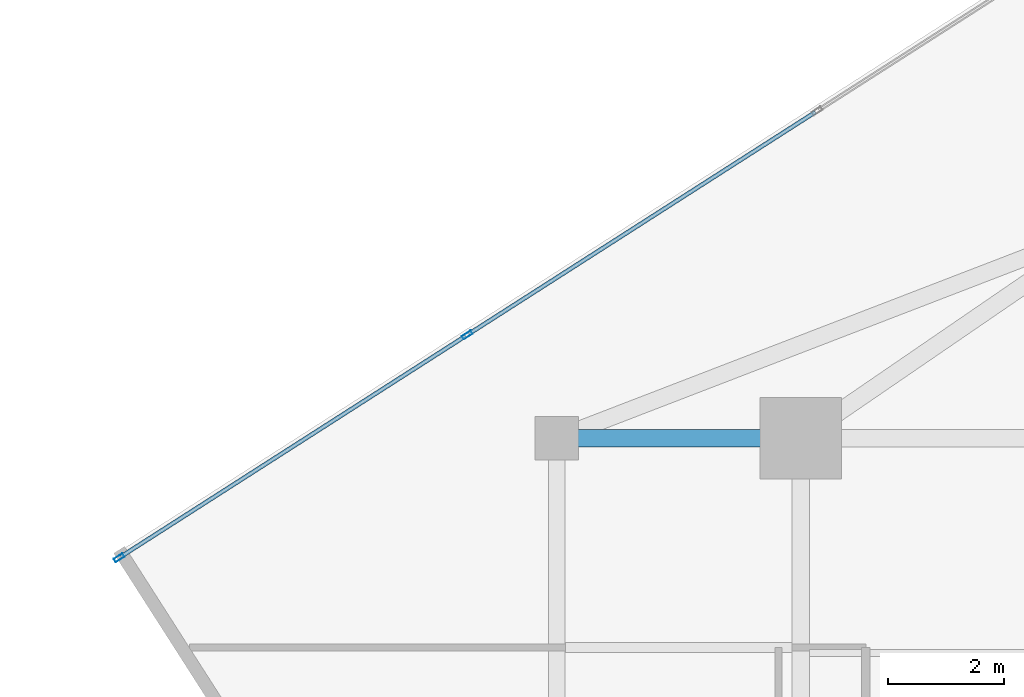
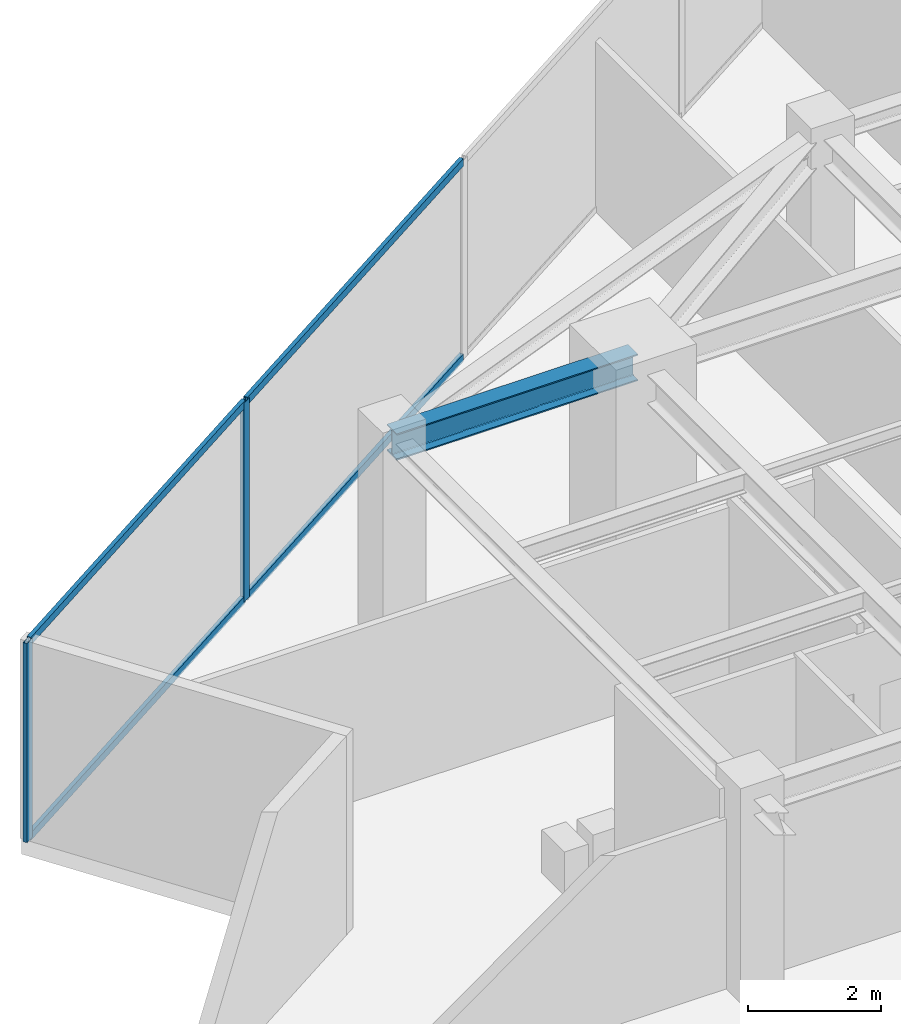
# One storey, part 11 of 20: 6 members, 1 beam, 1 element without a shape of its own.
"""IFC4 building model written with IfcOpenShell, lengths in metres."""

from ifc_helpers import new_model, si_unit, direction, frame, origin, origin_2d, place, context, subcontext, project, spatial, hollow_rectangle, i_section, extrude, source, transform, mapped, material, material_profile, profile_set, type_object, type_shapes, element, aggregate, save


model = new_model("IFC4")

# Units and contexts
model_context = context("Model", 3, precision=1e-05, world=origin(), true_north=direction((0.0, 1.0)))
body_context = subcontext(model_context, "Body", "Model", "MODEL_VIEW")
ifc_project = project(units=[si_unit("LENGTHUNIT", "METRE"), si_unit("AREAUNIT", "SQUARE_METRE"), si_unit("VOLUMEUNIT", "CUBIC_METRE"), si_unit("PLANEANGLEUNIT", "RADIAN"), si_unit("MASSUNIT", "GRAM", prefix="KILO")], contexts=[model_context])

# Site, building, storey
site_placement = place(None, origin())
site = spatial("IfcSite", under=ifc_project, at=site_placement, CompositionType="ELEMENT")
building_placement = place(site_placement, origin())
building = spatial("IfcBuilding", under=site, at=building_placement, Name="Krantzveldt Concourse Tower", CompositionType="ELEMENT")
storey_placement = place(building_placement, frame((0.0, 0.0, 283.199951171875)))
storey = spatial("IfcBuildingStorey", under=building, at=storey_placement, Name="L69", CompositionType="ELEMENT", Elevation=283.199951171875)

# Beam
ifc_material_1 = material(Name="Steel S355JR", Category="steel")
ifc_material_profile_1 = material_profile(ifc_material_1, i_section(OverallWidth=0.300048828125, OverallDepth=0.489990234375, WebThickness=0.011962890625, FlangeThickness=0.02294921875, FilletRadius=0.027099609375, at=origin_2d()), Name="Steel S355JR", Category="steel")
ifc_profile_set_1 = profile_set([ifc_material_profile_1], Name="Steel S355JR - HEA 500")
beam_type = type_object("IfcBeamType", Name="BM-B-HEA500", PredefinedType="BEAM", material=ifc_profile_set_1)
shared_shape_1 = source(origin(), body_context, "Body", "SweptSolid", [
    extrude(i_section(OverallWidth=0.300048828125, OverallDepth=0.489990234375, WebThickness=0.011962890625, FlangeThickness=0.02294921875, FilletRadius=0.027099609375, at=origin_2d()), origin(), (0.0, 0.0, 1.0), 4.199951171875),
])
type_shapes(beam_type, [shared_shape_1])
beam_placement = place(storey_placement, frame((21.0, 37.5, 3.425048828125), z_axis=(1.0, 0.0, 0.0), x_axis=(0.0, 1.0, 0.0)))
element("IfcBeam", 1, at=beam_placement, inside=storey, type_object=beam_type, Name="L69 Tower Girder BR-RL3", PredefinedType="BEAM", context=body_context, shape_type="MappedRepresentation", body=[
    mapped(shared_shape_1, transform((0.0, 0.0, 0.0), x_axis=(1.0, 0.0, 0.0), y_axis=(0.0, 1.0, 0.0), z_axis=(0.0, 0.0, 1.0), scale=1.0)),
])

# Curtain wall, members
ifc_material_2 = material(Name="Anodised aluminium 6063-T6", Category="aluminium")
curtain_wall_type = type_object("IfcCurtainWallType", Name="CW4", PredefinedType="USERDEFINED", material=ifc_material_2)
curtain_wall_placement = place(storey_placement, origin())
curtain_wall = element("IfcCurtainWall", 2, at=curtain_wall_placement, inside=storey, type_object=curtain_wall_type, Name="CW-L69-F01", ObjectType="UNITISED CURTAIN WALL", PredefinedType="USERDEFINED")
ifc_material_profile_2 = material_profile(ifc_material_2, hollow_rectangle(XDim=0.070068359375, YDim=0.179931640625, WallThickness=0.0048828125, at=origin_2d()), Name="Anodised aluminium 6063-T6", Category="aluminium")
ifc_profile_set_2 = profile_set([ifc_material_profile_2], Name="Anodised aluminium 6063-T6 - ALU-MULL 180x70x5")
member_type_1 = type_object("IfcMemberType", Name="CW-MUL-180", PredefinedType="MULLION", material=ifc_profile_set_2)
shared_shape_2 = source(origin(), body_context, "Body", "SweptSolid", [
    extrude(hollow_rectangle(XDim=0.070068359375, YDim=0.179931640625, WallThickness=0.0048828125, at=origin_2d()), origin(), (0.0, 0.0, 1.0), 3.670166015625),
])
type_shapes(member_type_1, [shared_shape_2])
member_1_placement = place(storey_placement, frame((19.45947265625, 39.27685546875, 0.0), z_axis=(0.0, 0.0, 1.0), x_axis=(0.53913830827, -0.842217243088, 0.0)))
member_1 = element("IfcMember", 3, at=member_1_placement, type_object=member_type_1, Name="CW-Z56 mullion 4", PredefinedType="MULLION", context=body_context, shape_type="MappedRepresentation", body=[
    mapped(shared_shape_2, transform((0.0, 0.0, 0.0), x_axis=(1.0, 0.0, 0.0), y_axis=(0.0, 1.0, 0.0), z_axis=(0.0, 0.0, 1.0), scale=1.0)),
])
member_2_placement = place(storey_placement, frame((13.46728515625, 35.44091796875, 0.0), z_axis=(0.0, 0.0, 1.0), x_axis=(0.53913830827, -0.842217243088, 0.0)))
member_2 = element("IfcMember", 4, at=member_2_placement, type_object=member_type_1, Name="CW-Z56 mullion 5", PredefinedType="MULLION", context=body_context, shape_type="MappedRepresentation", body=[
    mapped(shared_shape_2, transform((0.0, 0.0, 0.0), x_axis=(1.0, 0.0, 0.0), y_axis=(0.0, 1.0, 0.0), z_axis=(0.0, 0.0, 1.0), scale=1.0)),
])
ifc_material_profile_3 = material_profile(ifc_material_2, hollow_rectangle(XDim=0.070068359375, YDim=0.139892578125, WallThickness=0.0048828125, at=origin_2d()), Name="Anodised aluminium 6063-T6", Category="aluminium")
ifc_profile_set_3 = profile_set([ifc_material_profile_3], Name="Anodised aluminium 6063-T6 - ALU-TRAN 140x70x5")
member_type_2 = type_object("IfcMemberType", Name="CW-TRN-150", PredefinedType="USERDEFINED", material=ifc_profile_set_3)
shared_shape_3 = source(origin(), body_context, "Body", "SweptSolid", [
    extrude(hollow_rectangle(XDim=0.070068359375, YDim=0.139892578125, WallThickness=0.0048828125, at=origin_2d()), origin(), (0.0, 0.0, 1.0), 7.080078125),
])
member_3_placement = place(storey_placement, frame((25.451904296875, 43.11279296875, 0.03515625), z_axis=(-0.842214406915, -0.539142738786, 0.0), x_axis=(0.539142738786, -0.842214406915, 0.0)))
member_3 = element("IfcMember", 5, at=member_3_placement, type_object=member_type_2, Name="CW-Z56 transom 3.1", ObjectType="TRANSOM", PredefinedType="USERDEFINED", context=body_context, shape_type="MappedRepresentation", body=[
    mapped(shared_shape_3, transform((0.0, 0.0, 0.0), x_axis=(1.0, 0.0, 0.0), y_axis=(0.0, 1.0, 0.0), z_axis=(0.0, 0.0, 1.0), scale=1.0)),
])
member_4_placement = place(storey_placement, frame((25.451904296875, 43.11279296875, 3.635009765625), z_axis=(-0.842214406915, -0.539142738786, 0.0), x_axis=(0.539142738786, -0.842214406915, 0.0)))
member_4 = element("IfcMember", 6, at=member_4_placement, type_object=member_type_2, Name="CW-Z56 transom 3.2", ObjectType="TRANSOM", PredefinedType="USERDEFINED", context=body_context, shape_type="MappedRepresentation", body=[
    mapped(shared_shape_3, transform((0.0, 0.0, 0.0), x_axis=(1.0, 0.0, 0.0), y_axis=(0.0, 1.0, 0.0), z_axis=(0.0, 0.0, 1.0), scale=1.0)),
])
shared_shape_4 = source(origin(), body_context, "Body", "SweptSolid", [
    extrude(hollow_rectangle(XDim=0.070068359375, YDim=0.139892578125, WallThickness=0.0048828125, at=origin_2d()), origin(), (0.0, 0.0, 1.0), 7.045166015625),
])
type_shapes(member_type_2, [shared_shape_3, shared_shape_4])
member_5_placement = place(storey_placement, frame((19.43017578125, 39.258056640625, 0.03515625), z_axis=(-0.842217272537, -0.539138262267, 0.0), x_axis=(0.539138262267, -0.842217272537, 0.0)))
member_5 = element("IfcMember", 7, at=member_5_placement, type_object=member_type_2, Name="CW-Z56 transom 4.1", ObjectType="TRANSOM", PredefinedType="USERDEFINED", context=body_context, shape_type="MappedRepresentation", body=[
    mapped(shared_shape_4, transform((0.0, 0.0, 0.0), x_axis=(1.0, 0.0, 0.0), y_axis=(0.0, 1.0, 0.0), z_axis=(0.0, 0.0, 1.0), scale=1.0)),
])
member_6_placement = place(storey_placement, frame((19.43017578125, 39.258056640625, 3.635009765625), z_axis=(-0.842217272537, -0.539138262267, 0.0), x_axis=(0.539138262267, -0.842217272537, 0.0)))
member_6 = element("IfcMember", 8, at=member_6_placement, type_object=member_type_2, Name="CW-Z56 transom 4.2", ObjectType="TRANSOM", PredefinedType="USERDEFINED", context=body_context, shape_type="MappedRepresentation", body=[
    mapped(shared_shape_4, transform((0.0, 0.0, 0.0), x_axis=(1.0, 0.0, 0.0), y_axis=(0.0, 1.0, 0.0), z_axis=(0.0, 0.0, 1.0), scale=1.0)),
])
aggregate(curtain_wall, [member_1, member_2, member_3, member_4, member_5, member_6])

save(model, "model.ifc")
